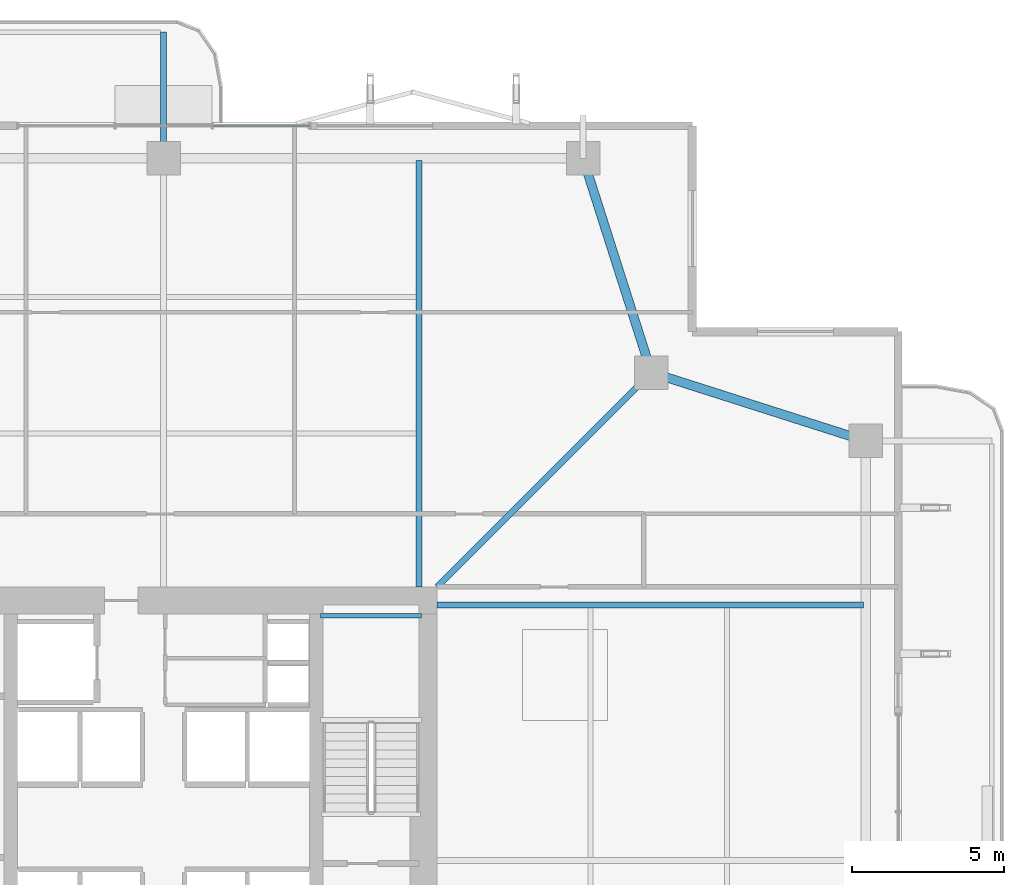
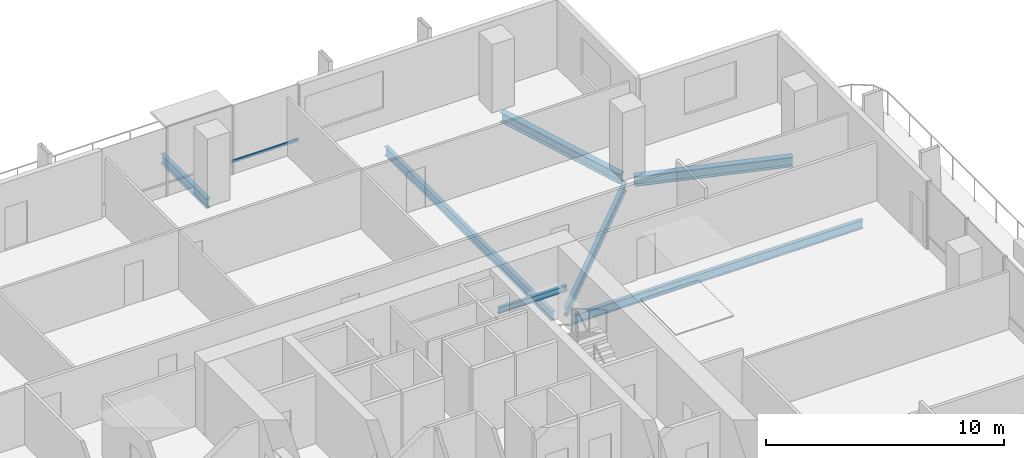
# One storey, part 14 of 25: 7 beams, 1 member, 1 element without a shape of its own.
"""IFC4 building model written with IfcOpenShell, lengths in metres."""

from ifc_helpers import new_model, si_unit, direction, frame, origin, origin_2d, place, context, subcontext, project, spatial, hollow_rectangle, i_section, extrude, material, layer, layer_set, material_profile, profile_set, type_object, element, aggregate, save


model = new_model("IFC4")

# Units and contexts
model_context = context("Model", 3, precision=1e-05, world=origin(), true_north=direction((0.0, 1.0)))
body_context = subcontext(model_context, "Body", "Model", "MODEL_VIEW")
ifc_project = project(units=[si_unit("LENGTHUNIT", "METRE"), si_unit("AREAUNIT", "SQUARE_METRE"), si_unit("VOLUMEUNIT", "CUBIC_METRE"), si_unit("PLANEANGLEUNIT", "RADIAN"), si_unit("MASSUNIT", "GRAM", prefix="KILO")], contexts=[model_context])

# Site, building, storey
site_placement = place(None, origin())
site = spatial("IfcSite", under=ifc_project, at=site_placement, CompositionType="ELEMENT")
building_placement = place(site_placement, origin())
building = spatial("IfcBuilding", under=site, at=building_placement, Name="Belovzor Exchange Tower", CompositionType="ELEMENT")
storey_placement = place(building_placement, frame((0.0, 0.0, 164.550048828125)))
storey = spatial("IfcBuildingStorey", under=building, at=storey_placement, Name="L40", CompositionType="ELEMENT", Elevation=164.550048828125)

# Beams
ifc_material_1 = material(Name="Steel S355", Category="steel")
ifc_material_profile_1 = material_profile(ifc_material_1, i_section(OverallWidth=0.199951171875, OverallDepth=0.5, WebThickness=0.01025390625, FlangeThickness=0.01611328125, at=origin_2d()))
ifc_profile_set_1 = profile_set([ifc_material_profile_1], Name="Steel S355")
beam_type_1 = type_object("IfcBeamType", Name="Planted Balcony Cantilever Beam IPE 500", PredefinedType="BEAM", material=ifc_profile_set_1)
beam_1_placement = place(storey_placement, frame((28.800048828125, 52.202880859375, -0.505126953125), z_axis=(0.0, 1.0, 0.0), x_axis=(-1.0, 0.0, 0.0)))
element("IfcBeam", 1, at=beam_1_placement, inside=storey, type_object=beam_type_1, Name="BC-500 Planted Balcony Cantilever Beam IPE 500", PredefinedType="BEAM", context=body_context, shape_type="SweptSolid", body=[
    extrude(i_section(OverallWidth=0.199951171875, OverallDepth=0.5, WebThickness=0.01025390625, FlangeThickness=0.01611328125, at=origin_2d()), origin(), (0.0, 0.0, 1.0), 3.85009765625),
])
ifc_material_2 = material(Name="Steel S355", Category="steel")
ifc_material_profile_2 = material_profile(ifc_material_2, i_section(OverallWidth=0.14990234375, OverallDepth=0.300048828125, WebThickness=0.007080078125, FlangeThickness=0.0107421875, at=origin_2d()))
ifc_profile_set_2 = profile_set([ifc_material_profile_2], Name="Steel S355")
beam_type_2 = type_object("IfcBeamType", Name="Secondary Trim Floor Joist IPE 300", PredefinedType="BEAM", material=ifc_profile_set_2)
beam_2_placement = place(storey_placement, frame((37.280029296875, 36.85009765625, 1.52490234375), z_axis=(-1.0, 0.0, 0.0), x_axis=(0.0, -1.0, 0.0)))
element("IfcBeam", 2, at=beam_2_placement, inside=storey, type_object=beam_type_2, Name="FJ-300 Secondary Trim Floor Joist IPE 300", PredefinedType="BEAM", context=body_context, shape_type="SweptSolid", body=[
    extrude(i_section(OverallWidth=0.14990234375, OverallDepth=0.300048828125, WebThickness=0.007080078125, FlangeThickness=0.0107421875, at=origin_2d()), origin(), (0.0, 0.0, 1.0), 3.31005859375),
])

# Curtain wall, member
ifc_material_3 = material(Name="Anodised Aluminium Framing", Category="aluminium")
ifc_layer = layer(ifc_material_3, 0.179931640625)
ifc_layer_set = layer_set([ifc_layer], Name="Anodised Aluminium Framing")
curtain_wall_type = type_object("IfcCurtainWallType", Name="Recessed Loggia Low-Iron Triple-Glazed Curtain Wall", PredefinedType="NOTDEFINED", material=ifc_layer_set)
curtain_wall_placement = place(storey_placement, origin())
curtain_wall = element("IfcCurtainWall", 3, at=curtain_wall_placement, inside=storey, type_object=curtain_wall_type, Name="CW3 Recessed Loggia Low-Iron Triple-Glazed Curtain Wall L40", PredefinedType="NOTDEFINED")
ifc_material_4 = material(Name="Steel S355", Category="steel")
ifc_material_profile_3 = material_profile(ifc_material_4, hollow_rectangle(XDim=0.06005859375, YDim=0.14990234375, WallThickness=0.00390625, at=origin_2d()))
ifc_profile_set_3 = profile_set([ifc_material_profile_3], Name="Steel S355")
member_type = type_object("IfcMemberType", Name="Thermally Broken Curtain Wall Transom 150x60", PredefinedType="USERDEFINED", material=ifc_profile_set_3)
member_placement = place(storey_placement, frame((30.407958984375, 52.969970703125, 0.62890625), z_axis=(1.0, 0.0, 0.0), x_axis=(0.0, 1.0, 0.0)))
member = element("IfcMember", 4, at=member_placement, type_object=member_type, Name="CW-T150 Curtain Wall Transom 3", ObjectType="TRANSOM", PredefinedType="USERDEFINED", context=body_context, shape_type="SweptSolid", body=[
    extrude(hollow_rectangle(XDim=0.06005859375, YDim=0.14990234375, WallThickness=0.00390625, at=origin_2d()), origin(), (0.0, 0.0, 1.0), 3.18408203125),
])
aggregate(curtain_wall, [member])

# Beams
ifc_material_5 = material(Name="Steel S355", Category="steel")
ifc_material_profile_4 = material_profile(ifc_material_5, i_section(OverallWidth=0.18994140625, OverallDepth=0.449951171875, WebThickness=0.009521484375, FlangeThickness=0.0146484375, at=origin_2d()))
ifc_profile_set_4 = profile_set([ifc_material_profile_4], Name="Steel S355")
beam_type_3 = type_object("IfcBeamType", Name="Zone 2-4 Radial Composite Floor Beam IPE 450", PredefinedType="BEAM", material=ifc_profile_set_4)
for number, where, z_axis, x_axis, name in (
    (5, (37.199951171875, 37.800048828125, -0.47998046875), (0.0, 1.0, 0.0), (-1.0, 0.0, 0.0), "FB-450 Zone 2-4 Radial Composite Floor Beam IPE 450"),
    (6, (37.800048828125, 37.199951171875, -0.47998046875), (1.0, 0.0, 0.0), (0.0, 1.0, 0.0), "FB-450 Zone 2-4 Radial Composite Floor Beam IPE 450"),
):
    element("IfcBeam", number, at=place(storey_placement, frame(where, z_axis=z_axis, x_axis=x_axis)), inside=storey, type_object=beam_type_3, Name=name, PredefinedType="BEAM", context=body_context, shape_type="SweptSolid", body=[
        extrude(i_section(OverallWidth=0.18994140625, OverallDepth=0.449951171875, WebThickness=0.009521484375, FlangeThickness=0.0146484375, at=origin_2d()), origin(), (0.0, 0.0, 1.0), 14.02490234375),
    ])
beam_3_placement = place(storey_placement, frame((37.800048828125, 37.800048828125, -0.47998046875), z_axis=(0.707106781187, 0.707106781187, 0.0), x_axis=(-0.707106781187, 0.707106781187, 0.0)))
element("IfcBeam", 7, at=beam_3_placement, inside=storey, type_object=beam_type_3, Name="FB-450 Zone 2-4 Radial Composite Floor Beam IPE 450", PredefinedType="BEAM", context=body_context, shape_type="SweptSolid", body=[
    extrude(i_section(OverallWidth=0.18994140625, OverallDepth=0.449951171875, WebThickness=0.009521484375, FlangeThickness=0.0146484375, at=origin_2d()), origin(), (0.0, 0.0, 1.0), 9.5810546875),
])
ifc_material_6 = material(Name="Steel S355", Category="steel")
ifc_material_profile_5 = material_profile(ifc_material_6, i_section(OverallWidth=0.300048828125, OverallDepth=0.5, WebThickness=0.014404296875, FlangeThickness=0.028076171875, at=origin_2d()))
ifc_profile_set_5 = profile_set([ifc_material_profile_5], Name="Steel S355")
beam_type_4 = type_object("IfcBeamType", Name="Zone 3 Waist Primary Girder HEB 500", PredefinedType="BEAM", material=ifc_profile_set_5)
for number, where, z_axis, x_axis, name in (
    (8, (51.612060546875, 42.69189453125, -0.505126953125), (-0.952661203756, 0.304033930439, 0.0), (-0.304033930439, -0.952661203756, 0.0), "FG-Z3 Zone 3 Waist Primary Girder HEB 500"),
    (9, (44.758056640625, 45.137939453125, -0.505126953125), (-0.304033930439, 0.952661203756, 0.0), (-0.952661203756, -0.304033930439, 0.0), "FG-Z3 Zone 3 Waist Primary Girder HEB 500"),
):
    element("IfcBeam", number, at=place(storey_placement, frame(where, z_axis=z_axis, x_axis=x_axis)), inside=storey, type_object=beam_type_4, Name=name, PredefinedType="BEAM", context=body_context, shape_type="SweptSolid", body=[
        extrude(i_section(OverallWidth=0.300048828125, OverallDepth=0.5, WebThickness=0.014404296875, FlangeThickness=0.028076171875, at=origin_2d()), origin(), (0.0, 0.0, 1.0), 6.7958984375),
    ])

save(model, "model.ifc")
